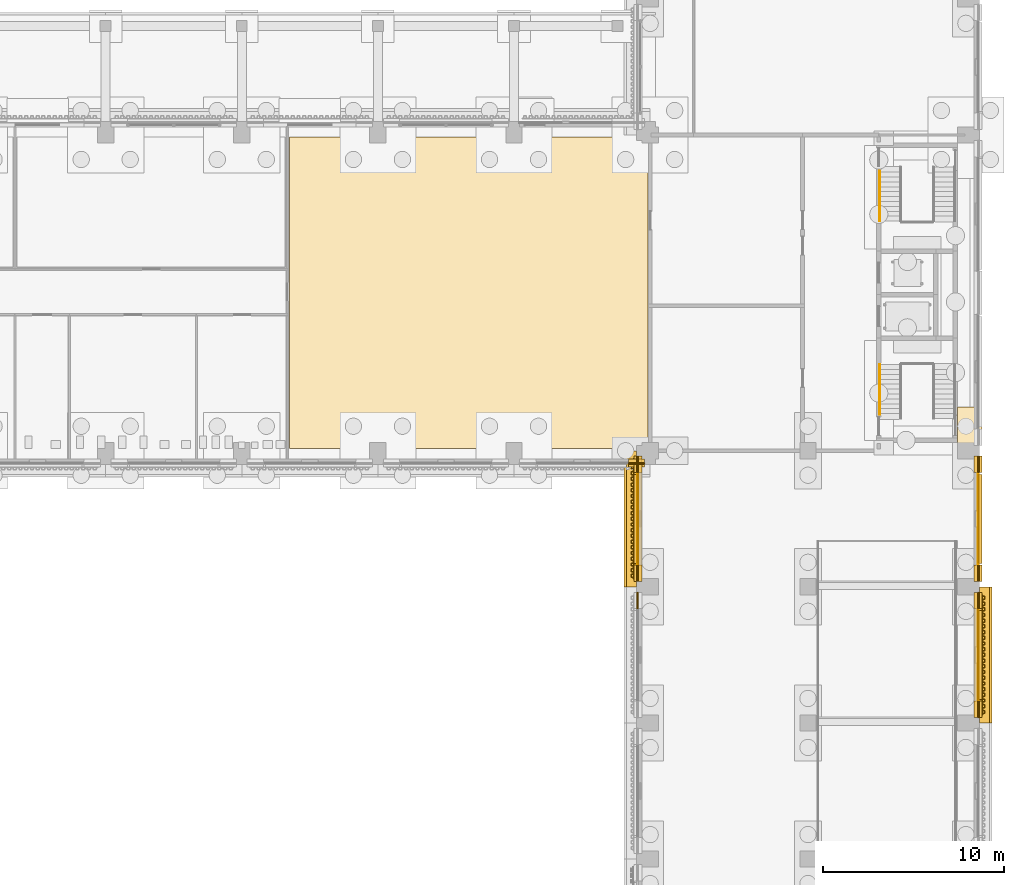
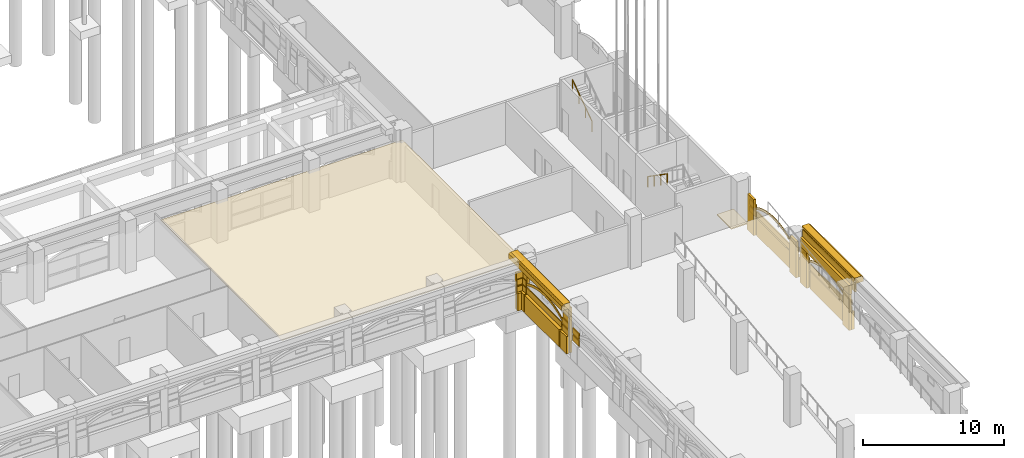
# One storey, part 84 of 99: 47 coverings, 2 railings.
"""IFC4 building model written with IfcOpenShell, lengths in metres."""

from ifc_helpers import new_model, si_unit, direction, frame, origin, origin_2d, place, context, subcontext, project, spatial, polyline, circle, outline, extrude, material, layer, layer_set, type_object, element, save


model = new_model("IFC4")

# Units and contexts
model_context = context("Model", 3, precision=1e-05, world=origin(), true_north=direction((0.0, 1.0)))
body_context = subcontext(model_context, "Body", "Model", "MODEL_VIEW")
ifc_project = project(units=[si_unit("LENGTHUNIT", "METRE"), si_unit("AREAUNIT", "SQUARE_METRE"), si_unit("VOLUMEUNIT", "CUBIC_METRE"), si_unit("PLANEANGLEUNIT", "RADIAN"), si_unit("MASSUNIT", "GRAM", prefix="KILO")], contexts=[model_context])

# Site, building, storey
site_placement = place(None, origin())
site = spatial("IfcSite", under=ifc_project, at=site_placement, CompositionType="ELEMENT")
building_placement = place(site_placement, origin())
building = spatial("IfcBuilding", under=site, at=building_placement, Name="Cour d'Honneur Mobility Palace", CompositionType="ELEMENT")
storey_placement = place(building_placement, origin())
storey = spatial("IfcBuildingStorey", under=building, at=storey_placement, Name="L00", CompositionType="ELEMENT", Elevation=0.0)

# Coverings
ifc_material_1 = material(Name="Cast limestone", Category="masonry")
ifc_layer_1 = layer(ifc_material_1, 0.050048828125)
ifc_layer_set_1 = layer_set([ifc_layer_1], Name="Cast limestone")
covering_type_1 = type_object("IfcCoveringType", Name="Arch hood", PredefinedType="CLADDING", material=ifc_layer_set_1)
for number, where, z_axis, x_axis, name in (
    (1, (144.199951171875, 43.800048828125, 2.179931640625), (-1.0, 0.0, 0.0), (0.0, -0.893604607308, 0.448854994176), "Arch hood AH-24"),
    (2, (163.0, 31.199951171875, 2.179931640625), (1.0, 0.0, 0.0), (0.0, 0.893604607308, 0.448854994176), "Arch hood AH-34"),
    (3, (163.0, 38.699951171875, 2.179931640625), (1.0, 0.0, 0.0), (0.0, 0.893604607308, 0.448854994176), "Arch hood AH-35"),
):
    element("IfcCovering", number, at=place(storey_placement, frame(where, z_axis=z_axis, x_axis=x_axis)), inside=storey, type_object=covering_type_1, Name=name, PredefinedType="CLADDING", context=body_context, shape_type="SweptSolid", body=[
        extrude(outline(polyline([(0.0, 0.0), (0.35681066731556765, 2.7755575615628914e-17), (0.7020064606072944, -0.022579595743628944), (1.0367907964215308, -0.06643079839719385), (1.3617125957426337, -0.129916867910564), (1.677101612077335, -0.2118373946082709), (1.9837229270167351, -0.31175705040594615), (2.2813593776637964, -0.4290203374513023), (2.570556878131994, -0.5636282580346337), (2.8512068469728096, -0.7152530632297959), (3.1229815352600987, -0.884003334485308), (3.3862076896297117, -1.070316404466126), (3.640229812229361, -1.2744094360692875), (3.885155482217271, -1.4971560923344107), (4.120218615712047, -1.7395376154593394), (4.344433961354672, -2.0029715780165787), (4.557470763348117, -2.2892043037950724), (4.656205712018263, -2.0926374700096892), (4.44327849376363, -1.8061865790438643), (4.218953564382193, -1.5429707816739562), (3.9838904308874175, -1.3005892585490275), (3.73907434463832, -1.0776244370965733), (3.484942638299858, -0.873749570680743), (3.221716483930245, -0.6874365006999249), (2.949941795642956, -0.5186862294444128), (2.6692918268021404, -0.3670614242492506), (2.3800943263339427, -0.23245350366591921), (2.0824578756868815, -0.11519021662056306), (1.7758365607474815, -0.015270560822887802), (1.460557128151593, 0.06686813106215028), (1.1355257450916771, 0.1301360353881893), (0.8007414092774409, 0.17398723804175414), (0.4556551997245267, 0.1967849989727143), (0.09873494867014648, 0.19656683378538312), (0.0, 0.0)])), origin(), (0.0, 0.0, -1.0), 0.050048828125),
    ])
ifc_material_2 = material(Name="Cast limestone", Category="masonry")
ifc_layer_2 = layer(ifc_material_2, 0.14990234375)
ifc_layer_set_2 = layer_set([ifc_layer_2], Name="Cast limestone")
covering_type_2 = type_object("IfcCoveringType", Name="Dentil course", PredefinedType="CLADDING", material=ifc_layer_set_2)
covering_1_placement = place(storey_placement, frame((0.0, 0.0, 3.949951171875)))
element("IfcCovering", 4, at=covering_1_placement, inside=storey, type_object=covering_type_2, Name="Dentil course DC-18", PredefinedType="CLADDING", context=body_context, shape_type="SweptSolid", body=[
    extrude(outline(polyline([(144.0, 44.550048828125), (144.0, 37.949951171875), (143.969970703125, 37.949951171875), (143.969970703125, 37.949951171875), (143.969970703125, 38.028564453125), (143.85009765625, 38.028564453125), (143.85009765625, 38.185791015625), (143.969970703125, 38.185791015625), (143.969970703125, 38.264404296875), (143.969970703125, 38.264404296875), (143.969970703125, 38.3427734375), (143.85009765625, 38.3427734375), (143.85009765625, 38.5), (143.969970703125, 38.5), (143.969970703125, 38.57861328125), (143.969970703125, 38.57861328125), (143.969970703125, 38.6572265625), (143.85009765625, 38.6572265625), (143.85009765625, 38.814208984375), (143.969970703125, 38.814208984375), (143.969970703125, 38.892822265625), (143.969970703125, 38.892822265625), (143.969970703125, 38.971435546875), (143.85009765625, 38.971435546875), (143.85009765625, 39.128662109375), (143.969970703125, 39.128662109375), (143.969970703125, 39.20703125), (143.969970703125, 39.20703125), (143.969970703125, 39.28564453125), (143.85009765625, 39.28564453125), (143.85009765625, 39.44287109375), (143.969970703125, 39.44287109375), (143.969970703125, 39.521484375), (143.969970703125, 39.521484375), (143.969970703125, 39.60009765625), (143.85009765625, 39.60009765625), (143.85009765625, 39.757080078125), (143.969970703125, 39.757080078125), (143.969970703125, 39.835693359375), (143.969970703125, 39.835693359375), (143.969970703125, 39.914306640625), (143.85009765625, 39.914306640625), (143.85009765625, 40.071533203125), (143.969970703125, 40.071533203125), (143.969970703125, 40.14990234375), (143.969970703125, 40.14990234375), (143.969970703125, 40.228515625), (143.85009765625, 40.228515625), (143.85009765625, 40.3857421875), (143.969970703125, 40.3857421875), (143.969970703125, 40.46435546875), (143.969970703125, 40.46435546875), (143.969970703125, 40.54296875), (143.85009765625, 40.54296875), (143.85009765625, 40.699951171875), (143.969970703125, 40.699951171875), (143.969970703125, 40.778564453125), (143.969970703125, 40.778564453125), (143.969970703125, 40.857177734375), (143.85009765625, 40.857177734375), (143.85009765625, 41.014404296875), (143.969970703125, 41.014404296875), (143.969970703125, 41.0927734375), (143.969970703125, 41.0927734375), (143.969970703125, 41.17138671875), (143.85009765625, 41.17138671875), (143.85009765625, 41.32861328125), (143.969970703125, 41.32861328125), (143.969970703125, 41.4072265625), (143.969970703125, 41.4072265625), (143.969970703125, 41.485595703125), (143.85009765625, 41.485595703125), (143.85009765625, 41.642822265625), (143.969970703125, 41.642822265625), (143.969970703125, 41.721435546875), (143.969970703125, 41.721435546875), (143.969970703125, 41.800048828125), (143.85009765625, 41.800048828125), (143.85009765625, 41.95703125), (143.969970703125, 41.95703125), (143.969970703125, 42.03564453125), (143.969970703125, 42.03564453125), (143.969970703125, 42.1142578125), (143.85009765625, 42.1142578125), (143.85009765625, 42.271484375), (143.969970703125, 42.271484375), (143.969970703125, 42.35009765625), (143.969970703125, 42.35009765625), (143.969970703125, 42.428466796875), (143.85009765625, 42.428466796875), (143.85009765625, 42.585693359375), (143.969970703125, 42.585693359375), (143.969970703125, 42.664306640625), (143.969970703125, 42.664306640625), (143.969970703125, 42.742919921875), (143.85009765625, 42.742919921875), (143.85009765625, 42.89990234375), (143.969970703125, 42.89990234375), (143.969970703125, 42.978515625), (143.969970703125, 42.978515625), (143.969970703125, 43.05712890625), (143.85009765625, 43.05712890625), (143.85009765625, 43.21435546875), (143.969970703125, 43.21435546875), (143.969970703125, 43.29296875), (143.969970703125, 43.29296875), (143.969970703125, 43.371337890625), (143.85009765625, 43.371337890625), (143.85009765625, 43.528564453125), (143.969970703125, 43.528564453125), (143.969970703125, 43.607177734375), (143.969970703125, 43.607177734375), (143.969970703125, 43.685791015625), (143.85009765625, 43.685791015625), (143.85009765625, 43.8427734375), (143.969970703125, 43.8427734375), (143.969970703125, 43.92138671875), (143.969970703125, 43.92138671875), (143.969970703125, 44.0), (143.85009765625, 44.0), (143.85009765625, 44.1572265625), (143.969970703125, 44.1572265625), (143.969970703125, 44.235595703125), (143.969970703125, 44.235595703125), (143.969970703125, 44.314208984375), (143.85009765625, 44.314208984375), (143.85009765625, 44.471435546875), (143.969970703125, 44.471435546875), (143.969970703125, 44.550048828125), (144.0, 44.550048828125)])), origin(), (0.0, 0.0, 1.0), 0.150146484375),
])
covering_2_placement = place(storey_placement, frame((0.0, 0.0, 3.949951171875)))
element("IfcCovering", 5, at=covering_2_placement, inside=storey, type_object=covering_type_2, Name="Dentil course DC-25", PredefinedType="CLADDING", context=body_context, shape_type="SweptSolid", body=[
    extrude(outline(polyline([(163.199951171875, 30.449951171875), (163.199951171875, 37.050048828125), (163.22998046875, 37.050048828125), (163.22998046875, 37.050048828125), (163.22998046875, 36.971435546875), (163.35009765625, 36.971435546875), (163.35009765625, 36.814208984375), (163.22998046875, 36.814208984375), (163.22998046875, 36.735595703125), (163.22998046875, 36.735595703125), (163.22998046875, 36.6572265625), (163.35009765625, 36.6572265625), (163.35009765625, 36.5), (163.22998046875, 36.5), (163.22998046875, 36.42138671875), (163.22998046875, 36.42138671875), (163.22998046875, 36.3427734375), (163.35009765625, 36.3427734375), (163.35009765625, 36.185791015625), (163.22998046875, 36.185791015625), (163.22998046875, 36.107177734375), (163.22998046875, 36.107177734375), (163.22998046875, 36.028564453125), (163.35009765625, 36.028564453125), (163.35009765625, 35.871337890625), (163.22998046875, 35.871337890625), (163.22998046875, 35.79296875), (163.22998046875, 35.79296875), (163.22998046875, 35.71435546875), (163.35009765625, 35.71435546875), (163.35009765625, 35.55712890625), (163.22998046875, 35.55712890625), (163.22998046875, 35.478515625), (163.22998046875, 35.478515625), (163.22998046875, 35.39990234375), (163.35009765625, 35.39990234375), (163.35009765625, 35.242919921875), (163.22998046875, 35.242919921875), (163.22998046875, 35.164306640625), (163.22998046875, 35.164306640625), (163.22998046875, 35.085693359375), (163.35009765625, 35.085693359375), (163.35009765625, 34.928466796875), (163.22998046875, 34.928466796875), (163.22998046875, 34.85009765625), (163.22998046875, 34.85009765625), (163.22998046875, 34.771484375), (163.35009765625, 34.771484375), (163.35009765625, 34.6142578125), (163.22998046875, 34.6142578125), (163.22998046875, 34.53564453125), (163.22998046875, 34.53564453125), (163.22998046875, 34.45703125), (163.35009765625, 34.45703125), (163.35009765625, 34.300048828125), (163.22998046875, 34.300048828125), (163.22998046875, 34.221435546875), (163.22998046875, 34.221435546875), (163.22998046875, 34.142822265625), (163.35009765625, 34.142822265625), (163.35009765625, 33.985595703125), (163.22998046875, 33.985595703125), (163.22998046875, 33.9072265625), (163.22998046875, 33.9072265625), (163.22998046875, 33.82861328125), (163.35009765625, 33.82861328125), (163.35009765625, 33.67138671875), (163.22998046875, 33.67138671875), (163.22998046875, 33.5927734375), (163.22998046875, 33.5927734375), (163.22998046875, 33.514404296875), (163.35009765625, 33.514404296875), (163.35009765625, 33.357177734375), (163.22998046875, 33.357177734375), (163.22998046875, 33.278564453125), (163.22998046875, 33.278564453125), (163.22998046875, 33.199951171875), (163.35009765625, 33.199951171875), (163.35009765625, 33.04296875), (163.22998046875, 33.04296875), (163.22998046875, 32.96435546875), (163.22998046875, 32.96435546875), (163.22998046875, 32.8857421875), (163.35009765625, 32.8857421875), (163.35009765625, 32.728515625), (163.22998046875, 32.728515625), (163.22998046875, 32.64990234375), (163.22998046875, 32.64990234375), (163.22998046875, 32.571533203125), (163.35009765625, 32.571533203125), (163.35009765625, 32.414306640625), (163.22998046875, 32.414306640625), (163.22998046875, 32.335693359375), (163.22998046875, 32.335693359375), (163.22998046875, 32.257080078125), (163.35009765625, 32.257080078125), (163.35009765625, 32.10009765625), (163.22998046875, 32.10009765625), (163.22998046875, 32.021484375), (163.22998046875, 32.021484375), (163.22998046875, 31.94287109375), (163.35009765625, 31.94287109375), (163.35009765625, 31.78564453125), (163.22998046875, 31.78564453125), (163.22998046875, 31.70703125), (163.22998046875, 31.70703125), (163.22998046875, 31.628662109375), (163.35009765625, 31.628662109375), (163.35009765625, 31.471435546875), (163.22998046875, 31.471435546875), (163.22998046875, 31.392822265625), (163.22998046875, 31.392822265625), (163.22998046875, 31.314208984375), (163.35009765625, 31.314208984375), (163.35009765625, 31.1572265625), (163.22998046875, 31.1572265625), (163.22998046875, 31.07861328125), (163.22998046875, 31.07861328125), (163.22998046875, 31.0), (163.35009765625, 31.0), (163.35009765625, 30.8427734375), (163.22998046875, 30.8427734375), (163.22998046875, 30.764404296875), (163.22998046875, 30.764404296875), (163.22998046875, 30.685791015625), (163.35009765625, 30.685791015625), (163.35009765625, 30.528564453125), (163.22998046875, 30.528564453125), (163.22998046875, 30.449951171875), (163.199951171875, 30.449951171875)])), origin(), (0.0, 0.0, 1.0), 0.150146484375),
])
ifc_material_3 = material(Name="Cast limestone", Category="masonry")
ifc_layer_3 = layer(ifc_material_3, 0.699951171875)
ifc_layer_set_3 = layer_set([ifc_layer_3], Name="Cast limestone")
covering_type_3 = type_object("IfcCoveringType", Name="Entablature", PredefinedType="CLADDING", material=ifc_layer_set_3)
covering_3_placement = place(storey_placement, frame((144.14990234375, 45.0, 3.39990234375), z_axis=(0.0, 1.0, 0.0), x_axis=(-1.0, 0.0, 0.0)))
element("IfcCovering", 6, at=covering_3_placement, inside=storey, type_object=covering_type_3, Name="Entablature EN-18", PredefinedType="CLADDING", context=body_context, shape_type="SweptSolid", body=[
    extrude(outline(polyline([(0.0, 0.0), (0.14990234375, 0.0), (0.14990234375, 0.7001953125), (0.699951171875, 0.7001953125), (0.699951171875, 1.10009765625), (0.5498046875, 1.2001953125), (0.0, 1.2001953125), (0.0, 0.0)])), origin(), (0.0, 0.0, -1.0), 7.5),
])
covering_4_placement = place(storey_placement, frame((163.050048828125, 30.0, 3.39990234375), z_axis=(0.0, -1.0, 0.0), x_axis=(1.0, 0.0, 0.0)))
element("IfcCovering", 7, at=covering_4_placement, inside=storey, type_object=covering_type_3, Name="Entablature EN-25", PredefinedType="CLADDING", context=body_context, shape_type="SweptSolid", body=[
    extrude(outline(polyline([(0.0, 0.0), (0.14990234375, 0.0), (0.14990234375, 0.7001953125), (0.699951171875, 0.7001953125), (0.699951171875, 1.10009765625), (0.550048828125, 1.2001953125), (0.0, 1.2001953125), (0.0, 0.0)])), origin(), (0.0, 0.0, -1.0), 7.5),
])
ifc_material_4 = material(Name="Granite paving", Category="masonry")
ifc_layer_4 = layer(ifc_material_4, 0.10009765625)
ifc_layer_set_4 = layer_set([ifc_layer_4], Name="Granite paving")
covering_type_4 = type_object("IfcCoveringType", Name="Entrance paving", PredefinedType="FLOORING", material=ifc_layer_set_4)
covering_5_placement = place(storey_placement, frame((0.0, 0.0, -0.10009765625)))
element("IfcCovering", 8, at=covering_5_placement, inside=storey, type_object=covering_type_4, Name="Entrance paving PV-31", PredefinedType="FLOORING", context=body_context, shape_type="SweptSolid", body=[
    extrude(outline(polyline([(161.85009765625, 45.39990234375), (163.199951171875, 45.39990234375), (163.199951171875, 47.39990234375), (161.85009765625, 47.39990234375), (161.85009765625, 45.39990234375)])), origin(), (0.0, 0.0, 1.0), 0.10009765625),
])

# Railings
ifc_material_5 = material(Name="Stainless steel", Category="steel")
railing_type = type_object("IfcRailingType", Name="Handrail round 50", PredefinedType="HANDRAIL", material=ifc_material_5)
railing_1_placement = place(storey_placement, frame((157.550048828125, 49.7451171875, 2.4375)))
element("IfcRailing", 9, at=railing_1_placement, inside=storey, type_object=railing_type, Name="Handrail ST-CE1", PredefinedType="HANDRAIL", context=body_context, shape_type="SweptSolid", body=[
    extrude(circle(Radius=0.02490234375, at=origin_2d()), frame((0.0, 0.0, 0.89501953125), z_axis=(0.0, -0.821381373729, 0.570379381544), x_axis=(1.0, 0.0, 0.0)), (0.0, 0.0, 1.0), 3.342041015625),
    extrude(circle(Radius=0.02099609375, at=origin_2d()), origin(), (0.0, 0.0, 1.0), 0.869873046875),
    extrude(circle(Radius=0.02099609375, at=origin_2d()), frame((0.0, -0.9150390625, 0.635498046875)), (0.0, 0.0, 1.0), 0.869873046875),
    extrude(circle(Radius=0.02099609375, at=origin_2d()), frame((0.0, -1.830078125, 1.270751953125)), (0.0, 0.0, 1.0), 0.869873046875),
    extrude(circle(Radius=0.02099609375, at=origin_2d()), frame((0.0, -2.7451171875, 1.90625)), (0.0, 0.0, 1.0), 0.869873046875),
])
railing_2_placement = place(storey_placement, frame((157.550048828125, 57.655029296875, 2.4375)))
element("IfcRailing", 10, at=railing_2_placement, inside=storey, type_object=railing_type, Name="Handrail ST-CE2", PredefinedType="HANDRAIL", context=body_context, shape_type="SweptSolid", body=[
    extrude(circle(Radius=0.02490234375, at=origin_2d()), frame((0.0, 0.0, 0.89501953125), z_axis=(0.0, 0.821357605833, 0.570413607253), x_axis=(-1.0, 0.0, 0.0)), (0.0, 0.0, 1.0), 3.341796875),
    extrude(circle(Radius=0.02099609375, at=origin_2d()), origin(), (0.0, 0.0, 1.0), 0.869873046875),
    extrude(circle(Radius=0.02099609375, at=origin_2d()), frame((0.0, 0.9150390625, 0.635498046875)), (0.0, 0.0, 1.0), 0.869873046875),
    extrude(circle(Radius=0.02099609375, at=origin_2d()), frame((0.0, 1.829833984375, 1.270751953125)), (0.0, 0.0, 1.0), 0.869873046875),
    extrude(circle(Radius=0.02099609375, at=origin_2d()), frame((0.0, 2.744873046875, 1.90625)), (0.0, 0.0, 1.0), 0.869873046875),
])

# Coverings
ifc_material_6 = material(Name="Cast limestone", Category="masonry")
ifc_layer_5 = layer(ifc_material_6, 0.25)
ifc_layer_set_5 = layer_set([ifc_layer_5], Name="Cast limestone")
covering_type_5 = type_object("IfcCoveringType", Name="Plinth course", PredefinedType="CLADDING", material=ifc_layer_set_5)
covering_6_placement = place(storey_placement, origin())
element("IfcCovering", 11, at=covering_6_placement, inside=storey, type_object=covering_type_5, Name="Plinth course PI-67", PredefinedType="CLADDING", context=body_context, shape_type="SweptSolid", body=[
    extrude(outline(polyline([(143.699951171875, 44.35009765625), (144.60009765625, 44.35009765625), (144.60009765625, 44.10009765625), (143.699951171875, 44.10009765625), (143.699951171875, 44.35009765625)])), origin(), (0.0, 0.0, 1.0), 1.5),
])
covering_7_placement = place(storey_placement, origin())
element("IfcCovering", 12, at=covering_7_placement, inside=storey, type_object=covering_type_5, Name="Plinth course PI-69", PredefinedType="CLADDING", context=body_context, shape_type="SweptSolid", body=[
    extrude(outline(polyline([(144.25, 44.699951171875), (144.25, 43.800048828125), (144.0, 43.800048828125), (144.0, 44.699951171875), (144.25, 44.699951171875)])), origin(), (0.0, 0.0, 1.0), 1.5),
])
covering_8_placement = place(storey_placement, origin())
element("IfcCovering", 13, at=covering_8_placement, inside=storey, type_object=covering_type_5, Name="Plinth course PI-70", PredefinedType="CLADDING", context=body_context, shape_type="SweptSolid", body=[
    extrude(outline(polyline([(144.25, 38.699951171875), (144.25, 37.800048828125), (144.0, 37.800048828125), (144.0, 38.699951171875), (144.25, 38.699951171875)])), origin(), (0.0, 0.0, 1.0), 1.5),
])
covering_9_placement = place(storey_placement, origin())
element("IfcCovering", 14, at=covering_9_placement, inside=storey, type_object=covering_type_5, Name="Plinth course PI-71", PredefinedType="CLADDING", context=body_context, shape_type="SweptSolid", body=[
    extrude(outline(polyline([(144.25, 43.699951171875), (144.25, 38.800048828125), (144.0, 38.800048828125), (144.0, 43.699951171875), (144.25, 43.699951171875)])), origin(), (0.0, 0.0, 1.0), 1.5),
])
covering_10_placement = place(storey_placement, origin())
element("IfcCovering", 15, at=covering_10_placement, inside=storey, type_object=covering_type_5, Name="Plinth course PI-101", PredefinedType="CLADDING", context=body_context, shape_type="SweptSolid", body=[
    extrude(outline(polyline([(162.949951171875, 30.300048828125), (162.949951171875, 31.199951171875), (163.199951171875, 31.199951171875), (163.199951171875, 30.300048828125), (162.949951171875, 30.300048828125)])), origin(), (0.0, 0.0, 1.0), 1.5),
])
covering_11_placement = place(storey_placement, origin())
element("IfcCovering", 16, at=covering_11_placement, inside=storey, type_object=covering_type_5, Name="Plinth course PI-102", PredefinedType="CLADDING", context=body_context, shape_type="SweptSolid", body=[
    extrude(outline(polyline([(162.949951171875, 36.300048828125), (162.949951171875, 37.199951171875), (163.199951171875, 37.199951171875), (163.199951171875, 36.300048828125), (162.949951171875, 36.300048828125)])), origin(), (0.0, 0.0, 1.0), 1.5),
])
covering_12_placement = place(storey_placement, origin())
element("IfcCovering", 17, at=covering_12_placement, inside=storey, type_object=covering_type_5, Name="Plinth course PI-103", PredefinedType="CLADDING", context=body_context, shape_type="SweptSolid", body=[
    extrude(outline(polyline([(162.949951171875, 31.300048828125), (162.949951171875, 36.199951171875), (163.199951171875, 36.199951171875), (163.199951171875, 31.300048828125), (162.949951171875, 31.300048828125)])), origin(), (0.0, 0.0, 1.0), 1.5),
])
covering_13_placement = place(storey_placement, origin())
element("IfcCovering", 18, at=covering_13_placement, inside=storey, type_object=covering_type_5, Name="Plinth course PI-104", PredefinedType="CLADDING", context=body_context, shape_type="SweptSolid", body=[
    extrude(outline(polyline([(162.949951171875, 37.800048828125), (162.949951171875, 38.699951171875), (163.199951171875, 38.699951171875), (163.199951171875, 37.800048828125), (162.949951171875, 37.800048828125)])), origin(), (0.0, 0.0, 1.0), 1.5),
])
covering_14_placement = place(storey_placement, origin())
element("IfcCovering", 19, at=covering_14_placement, inside=storey, type_object=covering_type_5, Name="Plinth course PI-105", PredefinedType="CLADDING", context=body_context, shape_type="SweptSolid", body=[
    extrude(outline(polyline([(162.949951171875, 43.800048828125), (162.949951171875, 44.699951171875), (163.199951171875, 44.699951171875), (163.199951171875, 43.800048828125), (162.949951171875, 43.800048828125)])), origin(), (0.0, 0.0, 1.0), 1.5),
])
covering_15_placement = place(storey_placement, origin())
element("IfcCovering", 20, at=covering_15_placement, inside=storey, type_object=covering_type_5, Name="Plinth course PI-106", PredefinedType="CLADDING", context=body_context, shape_type="SweptSolid", body=[
    extrude(outline(polyline([(162.949951171875, 38.800048828125), (162.949951171875, 43.699951171875), (163.199951171875, 43.699951171875), (163.199951171875, 38.800048828125), (162.949951171875, 38.800048828125)])), origin(), (0.0, 0.0, 1.0), 1.5),
])
ifc_material_7 = material(Name="Cast limestone", Category="masonry")
ifc_layer_6 = layer(ifc_material_7, 0.199951171875)
ifc_layer_set_6 = layer_set([ifc_layer_6], Name="Cast limestone")
covering_type_6 = type_object("IfcCoveringType", Name="Rusticated jamb panel", PredefinedType="CLADDING", material=ifc_layer_set_6)
covering_16_placement = place(storey_placement, frame((143.699951171875, 44.35009765625, 0.0), z_axis=(0.0, -1.0, 0.0), x_axis=(1.0, 0.0, 0.0)))
element("IfcCovering", 21, at=covering_16_placement, inside=storey, type_object=covering_type_6, Name="Rusticated jamb panel RP-50", PredefinedType="CLADDING", context=body_context, shape_type="SweptSolid", body=[
    extrude(outline(polyline([(0.0, 0.0), (0.900146484375, 0.0), (0.900146484375, 3.10009765625), (0.0, 3.10009765625), (0.0, 0.0)])), origin(), (0.0, 0.0, -1.0), 0.199951171875),
])
for number, where, z_axis, x_axis, name in (
    (22, (144.25, 44.699951171875, 0.0), (-1.0, 0.0, 0.0), (0.0, -1.0, 0.0), "Rusticated jamb panel RP-51"),
    (23, (144.25, 38.699951171875, 0.0), (-1.0, 0.0, 0.0), (0.0, -1.0, 0.0), "Rusticated jamb panel RP-52"),
    (24, (162.949951171875, 30.300048828125, 0.0), (1.0, 0.0, 0.0), (0.0, 1.0, 0.0), "Rusticated jamb panel RP-75"),
    (25, (162.949951171875, 36.300048828125, 0.0), (1.0, 0.0, 0.0), (0.0, 1.0, 0.0), "Rusticated jamb panel RP-76"),
    (26, (162.949951171875, 37.800048828125, 0.0), (1.0, 0.0, 0.0), (0.0, 1.0, 0.0), "Rusticated jamb panel RP-77"),
    (27, (162.949951171875, 43.800048828125, 0.0), (1.0, 0.0, 0.0), (0.0, 1.0, 0.0), "Rusticated jamb panel RP-78"),
):
    element("IfcCovering", number, at=place(storey_placement, frame(where, z_axis=z_axis, x_axis=x_axis)), inside=storey, type_object=covering_type_6, Name=name, PredefinedType="CLADDING", context=body_context, shape_type="SweptSolid", body=[
        extrude(outline(polyline([(0.0, 0.0), (0.89990234375, 0.0), (0.89990234375, 3.10009765625), (0.0, 3.10009765625), (0.0, 0.0)])), origin(), (0.0, 0.0, -1.0), 0.199951171875),
    ])
ifc_material_8 = material(Name="Cast limestone", Category="masonry")
ifc_layer_7 = layer(ifc_material_8, 0.080078125)
ifc_layer_set_7 = layer_set([ifc_layer_7], Name="Cast limestone")
covering_type_7 = type_object("IfcCoveringType", Name="Rustication course", PredefinedType="CLADDING", material=ifc_layer_set_7)
for number, where, name in (
    (28, (0.0, 0.0, 1.5), "Rustication course RC-114"),
    (29, (0.0, 0.0, 2.10009765625), "Rustication course RC-115"),
):
    element("IfcCovering", number, at=place(storey_placement, frame(where)), inside=storey, type_object=covering_type_7, Name=name, PredefinedType="CLADDING", context=body_context, shape_type="SweptSolid", body=[
        extrude(outline(polyline([(143.699951171875, 44.35009765625), (144.60009765625, 44.35009765625), (144.60009765625, 44.27001953125), (143.699951171875, 44.27001953125), (143.699951171875, 44.35009765625)])), origin(), (0.0, 0.0, 1.0), 0.47998046875),
    ])
for number, where, name in (
    (30, (0.0, 0.0, 1.5), "Rustication course RC-117"),
    (31, (0.0, 0.0, 2.10009765625), "Rustication course RC-118"),
):
    element("IfcCovering", number, at=place(storey_placement, frame(where)), inside=storey, type_object=covering_type_7, Name=name, PredefinedType="CLADDING", context=body_context, shape_type="SweptSolid", body=[
        extrude(outline(polyline([(144.25, 44.699951171875), (144.25, 43.800048828125), (144.169921875, 43.800048828125), (144.169921875, 44.699951171875), (144.25, 44.699951171875)])), origin(), (0.0, 0.0, 1.0), 0.47998046875),
    ])
for number, where, name in (
    (32, (0.0, 0.0, 1.5), "Rustication course RC-119"),
    (33, (0.0, 0.0, 2.10009765625), "Rustication course RC-120"),
):
    element("IfcCovering", number, at=place(storey_placement, frame(where)), inside=storey, type_object=covering_type_7, Name=name, PredefinedType="CLADDING", context=body_context, shape_type="SweptSolid", body=[
        extrude(outline(polyline([(144.25, 38.699951171875), (144.25, 37.800048828125), (144.169921875, 37.800048828125), (144.169921875, 38.699951171875), (144.25, 38.699951171875)])), origin(), (0.0, 0.0, 1.0), 0.47998046875),
    ])
covering_17_placement = place(storey_placement, frame((0.0, 0.0, 1.6201171875)))
element("IfcCovering", 34, at=covering_17_placement, inside=storey, type_object=covering_type_7, Name="Rustication course RC-121", PredefinedType="CLADDING", context=body_context, shape_type="SweptSolid", body=[
    extrude(outline(polyline([(144.25, 43.699951171875), (144.25, 38.800048828125), (144.169921875, 38.800048828125), (144.169921875, 43.699951171875), (144.25, 43.699951171875)])), origin(), (0.0, 0.0, 1.0), 0.47998046875),
])
for number, where, name in (
    (35, (0.0, 0.0, 1.5), "Rustication course RC-122"),
    (36, (0.0, 0.0, 2.10009765625), "Rustication course RC-123"),
):
    element("IfcCovering", number, at=place(storey_placement, frame(where)), inside=storey, type_object=covering_type_7, Name=name, PredefinedType="CLADDING", context=body_context, shape_type="SweptSolid", body=[
        extrude(outline(polyline([(144.25, 37.199951171875), (144.25, 36.300048828125), (144.169921875, 36.300048828125), (144.169921875, 37.199951171875), (144.25, 37.199951171875)])), origin(), (0.0, 0.0, 1.0), 0.47998046875),
    ])
for number, where, name in (
    (37, (0.0, 0.0, 1.5), "Rustication course RC-171"),
    (38, (0.0, 0.0, 2.10009765625), "Rustication course RC-172"),
):
    element("IfcCovering", number, at=place(storey_placement, frame(where)), inside=storey, type_object=covering_type_7, Name=name, PredefinedType="CLADDING", context=body_context, shape_type="SweptSolid", body=[
        extrude(outline(polyline([(162.949951171875, 30.300048828125), (162.949951171875, 31.199951171875), (163.030029296875, 31.199951171875), (163.030029296875, 30.300048828125), (162.949951171875, 30.300048828125)])), origin(), (0.0, 0.0, 1.0), 0.47998046875),
    ])
for number, where, name in (
    (39, (0.0, 0.0, 1.5), "Rustication course RC-173"),
    (40, (0.0, 0.0, 2.10009765625), "Rustication course RC-174"),
):
    element("IfcCovering", number, at=place(storey_placement, frame(where)), inside=storey, type_object=covering_type_7, Name=name, PredefinedType="CLADDING", context=body_context, shape_type="SweptSolid", body=[
        extrude(outline(polyline([(162.949951171875, 36.300048828125), (162.949951171875, 37.199951171875), (163.030029296875, 37.199951171875), (163.030029296875, 36.300048828125), (162.949951171875, 36.300048828125)])), origin(), (0.0, 0.0, 1.0), 0.47998046875),
    ])
covering_18_placement = place(storey_placement, frame((0.0, 0.0, 1.6201171875)))
element("IfcCovering", 41, at=covering_18_placement, inside=storey, type_object=covering_type_7, Name="Rustication course RC-175", PredefinedType="CLADDING", context=body_context, shape_type="SweptSolid", body=[
    extrude(outline(polyline([(162.949951171875, 31.300048828125), (162.949951171875, 36.199951171875), (163.030029296875, 36.199951171875), (163.030029296875, 31.300048828125), (162.949951171875, 31.300048828125)])), origin(), (0.0, 0.0, 1.0), 0.47998046875),
])
for number, where, name in (
    (42, (0.0, 0.0, 1.5), "Rustication course RC-176"),
    (43, (0.0, 0.0, 2.10009765625), "Rustication course RC-177"),
):
    element("IfcCovering", number, at=place(storey_placement, frame(where)), inside=storey, type_object=covering_type_7, Name=name, PredefinedType="CLADDING", context=body_context, shape_type="SweptSolid", body=[
        extrude(outline(polyline([(162.949951171875, 37.800048828125), (162.949951171875, 38.699951171875), (163.030029296875, 38.699951171875), (163.030029296875, 37.800048828125), (162.949951171875, 37.800048828125)])), origin(), (0.0, 0.0, 1.0), 0.47998046875),
    ])
for number, where, name in (
    (44, (0.0, 0.0, 1.5), "Rustication course RC-178"),
    (45, (0.0, 0.0, 2.10009765625), "Rustication course RC-179"),
):
    element("IfcCovering", number, at=place(storey_placement, frame(where)), inside=storey, type_object=covering_type_7, Name=name, PredefinedType="CLADDING", context=body_context, shape_type="SweptSolid", body=[
        extrude(outline(polyline([(162.949951171875, 43.800048828125), (162.949951171875, 44.699951171875), (163.030029296875, 44.699951171875), (163.030029296875, 43.800048828125), (162.949951171875, 43.800048828125)])), origin(), (0.0, 0.0, 1.0), 0.47998046875),
    ])
covering_19_placement = place(storey_placement, frame((0.0, 0.0, 1.6201171875)))
element("IfcCovering", 46, at=covering_19_placement, inside=storey, type_object=covering_type_7, Name="Rustication course RC-180", PredefinedType="CLADDING", context=body_context, shape_type="SweptSolid", body=[
    extrude(outline(polyline([(162.949951171875, 38.800048828125), (162.949951171875, 43.699951171875), (163.030029296875, 43.699951171875), (163.030029296875, 38.800048828125), (162.949951171875, 38.800048828125)])), origin(), (0.0, 0.0, 1.0), 0.47998046875),
])
ifc_material_9 = material(Name="Cast limestone", Category="masonry")
ifc_layer_8 = layer(ifc_material_9, 0.25)
ifc_layer_set_8 = layer_set([ifc_layer_8], Name="Cast limestone")
covering_type_8 = type_object("IfcCoveringType", Name="Spandrel cladding", PredefinedType="CLADDING", material=ifc_layer_set_8)
for number, where, z_axis, x_axis, name in (
    (47, (144.449951171875, 44.699951171875, 3.10009765625), (0.0, 1.0, 0.0), (-1.0, 0.0, 0.0), "Spandrel cladding SK-18"),
    (48, (162.75, 30.300048828125, 3.10009765625), (0.0, -1.0, 0.0), (1.0, 0.0, 0.0), "Spandrel cladding SK-25"),
):
    element("IfcCovering", number, at=place(storey_placement, frame(where, z_axis=z_axis, x_axis=x_axis)), inside=storey, type_object=covering_type_8, Name=name, PredefinedType="CLADDING", context=body_context, shape_type="SweptSolid", body=[
        extrude(outline(polyline([(0.0, 0.0), (0.25, 0.0), (0.25, 1.39990234375), (0.199951171875, 1.39990234375), (0.199951171875, 0.7998046875), (0.0, 0.7998046875), (0.0, 0.0)])), origin(), (0.0, 0.0, -1.0), 6.89990234375),
    ])
ifc_material_10 = material(Name="Suspended ceiling")
ifc_layer_9 = layer(ifc_material_10, 0.030029296875)
ifc_layer_set_9 = layer_set([ifc_layer_9], Name="Suspended ceiling")
covering_type_9 = type_object("IfcCoveringType", Name="Suspended ceiling", PredefinedType="CEILING", material=ifc_layer_set_9)
covering_20_placement = place(storey_placement, frame((0.0, 0.0, 3.35009765625)))
element("IfcCovering", 49, at=covering_20_placement, inside=storey, type_object=covering_type_9, Name="Ceiling Charging Hub Waiting", PredefinedType="CEILING", context=body_context, shape_type="SweptSolid", body=[
    extrude(outline(polyline([(144.780029296875, 45.1201171875), (125.02001953125, 45.1201171875), (125.02001953125, 62.280029296875), (144.780029296875, 62.280029296875), (144.780029296875, 45.1201171875)])), origin(), (0.0, 0.0, 1.0), 0.02978515625),
])

save(model, "model.ifc")
